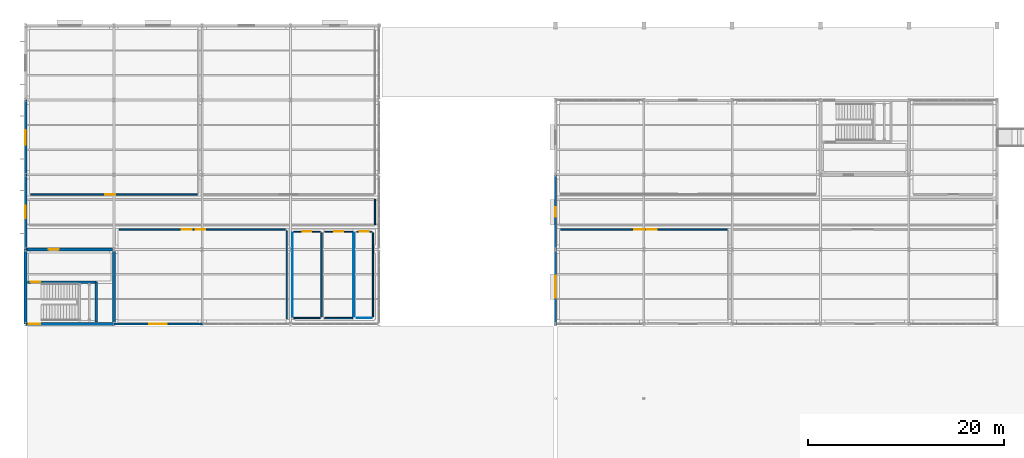
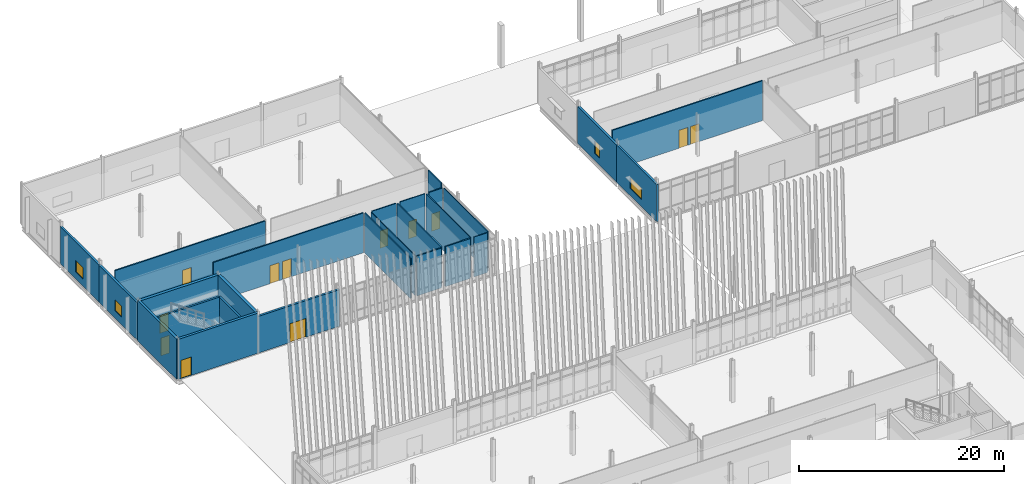
# One storey, part 144 of 161: 26 walls, 12 doors, 4 windows, 16 openings.
"""IFC4 building model written with IfcOpenShell, lengths in metres."""

from ifc_helpers import new_model, si_unit, direction, frame, frame_2d, origin, place, context, subcontext, project, spatial, rectangle, extrude, material, layer, layer_set, type_object, element, fill, save


model = new_model("IFC4")

# Units and contexts
model_context = context("Model", 3, precision=1e-05, world=origin(), true_north=direction((0.0, 1.0)))
body_context = subcontext(model_context, "Body", "Model", "MODEL_VIEW")
ifc_project = project(units=[si_unit("LENGTHUNIT", "METRE"), si_unit("AREAUNIT", "SQUARE_METRE"), si_unit("VOLUMEUNIT", "CUBIC_METRE"), si_unit("PLANEANGLEUNIT", "RADIAN"), si_unit("MASSUNIT", "GRAM", prefix="KILO")], contexts=[model_context])

# Site, building, storey
site_placement = place(None, origin())
site = spatial("IfcSite", under=ifc_project, at=site_placement, CompositionType="ELEMENT")
building_placement = place(site_placement, origin())
building = spatial("IfcBuilding", under=site, at=building_placement, Name="Caisbarro Railhouse Central Library", CompositionType="ELEMENT")
storey_placement = place(building_placement, origin())
storey = spatial("IfcBuildingStorey", under=building, at=storey_placement, Name="L00", CompositionType="ELEMENT", Elevation=0.0)

# Wall, opening, door
ifc_material_1 = material(Name="Concrete C40", Category="concrete")
ifc_layer_1 = layer(ifc_material_1, 0.320068359375, Name="Concrete C40")
ifc_layer_set_1 = layer_set([ifc_layer_1], Name="Concrete C40")
wall_type_1 = type_object("IfcWallType", Name="WAL-CW32", PredefinedType="SHEAR", material=ifc_layer_set_1)
wall_1_placement = place(storey_placement, frame((0.159912109375, 91.199951171875, 0.0), z_axis=(0.0, 0.0, 1.0), x_axis=(1.0, 0.0, 0.0)))
wall_1 = element("IfcWall", 1, at=wall_1_placement, inside=storey, type_object=wall_type_1, Name="CW32 RC core shear wall L00 #107", PredefinedType="SHEAR", context=body_context, shape_type="SweptSolid", body=[
    extrude(rectangle(XDim=8.68017578125, YDim=0.320068359375, at=frame_2d((4.340087890625, 0.0))), origin(), (0.0, 0.0, 1.0), 4.760009765625),
])
opening_1_placement = place(wall_1_placement, frame((2.199951171875, 0.0, 0.0)))
opening_1 = element("IfcOpeningElement", 2, at=opening_1_placement, cuts=wall_1, Name="Opening FD05", PredefinedType="OPENING", context=body_context, shape_type="SweptSolid", body=[
    extrude(rectangle(XDim=1.0, YDim=2.14990234375, at=frame_2d((0.5, 1.074951171875))), frame((0.0, 0.169921875, 0.0), z_axis=(0.0, -1.0, 0.0), x_axis=(1.0, 0.0, 0.0)), (0.0, 0.0, 1.0), 0.340087890625),
])
ifc_material_2 = material(Name="Fire-rated painted galvanised steel", Category="steel")
door_type_1 = type_object("IfcDoorType", Name="DR-FD05", OperationType="NOTDEFINED", PredefinedType="DOOR", material=ifc_material_2)
door_1_placement = place(opening_1_placement, origin())
door_1 = element("IfcDoor", 3, at=door_1_placement, inside=storey, type_object=door_type_1, Name="Core K8 Lobby Door FD05 L00-138", OperationType="SINGLE_SWING_LEFT", OverallHeight=2.14990234375, OverallWidth=1.0, PredefinedType="DOOR", context=body_context, shape_type="SweptSolid", body=[
    extrude(rectangle(XDim=1.0, YDim=2.14990234375, at=frame_2d((0.5, 1.074951171875))), frame((0.0, 0.02490234375, 0.0), z_axis=(0.0, -1.0, 0.0), x_axis=(1.0, 0.0, 0.0)), (0.0, 0.0, 1.0), 0.050048828125),
])
fill(opening_1, door_1)

# Wall
wall_2_placement = place(storey_placement, frame((9.0, 83.760009765625, 0.0), z_axis=(0.0, 0.0, 1.0), x_axis=(0.0, 1.0, 0.0)))
element("IfcWall", 4, at=wall_2_placement, inside=storey, type_object=wall_type_1, Name="CW32 RC core shear wall L00 #108", PredefinedType="SHEAR", context=body_context, shape_type="SweptSolid", body=[
    extrude(rectangle(XDim=7.280029296875, YDim=0.320068359375, at=frame_2d((3.64013671875, 0.0))), origin(), (0.0, 0.0, 1.0), 4.760009765625),
])

# Wall, opening, door
ifc_material_3 = material(Name="Concrete C35 insulated architectural precast", Category="concrete")
ifc_layer_2 = layer(ifc_material_3, 0.239990234375, Name="Concrete C35 insulated architectural precast")
ifc_layer_set_2 = layer_set([ifc_layer_2], Name="Concrete C35 insulated architectural precast")
wall_type_2 = type_object("IfcWallType", Name="WAL-EW24", PredefinedType="STANDARD", material=ifc_layer_set_2)
wall_3_placement = place(storey_placement, frame((9.0, 83.60009765625, 0.0), z_axis=(0.0, 0.0, 1.0), x_axis=(1.0, 0.0, 0.0)))
wall_3 = element("IfcWall", 5, at=wall_3_placement, inside=storey, type_object=wall_type_2, Name="EW24 exterior wall L00 #140", PredefinedType="STANDARD", context=body_context, shape_type="SweptSolid", body=[
    extrude(rectangle(XDim=9.2099609375, YDim=0.239990234375, at=frame_2d((4.60498046875, 0.0))), origin(), (0.0, 0.0, 1.0), 4.37109375),
])
opening_2_placement = place(wall_3_placement, frame((3.60009765625, 0.0, 0.0)))
opening_2 = element("IfcOpeningElement", 6, at=opening_2_placement, cuts=wall_3, Name="Opening ED01", PredefinedType="OPENING", context=body_context, shape_type="SweptSolid", body=[
    extrude(rectangle(XDim=1.800048828125, YDim=2.25, at=frame_2d((0.89990234375, 1.125))), frame((0.0, 0.1298828125, 0.0), z_axis=(0.0, -1.0, 0.0), x_axis=(1.0, 0.0, 0.0)), (0.0, 0.0, 1.0), 0.260009765625),
])
ifc_material_4 = material(Name="Thermally broken anodised aluminium and safety glass", Category="aluminium")
door_type_2 = type_object("IfcDoorType", Name="DR-ED01", OperationType="NOTDEFINED", PredefinedType="DOOR", material=ifc_material_4)
door_2_placement = place(opening_2_placement, frame((1.800048828125, 0.0, 0.0), z_axis=(0.0, 0.0, 1.0), x_axis=(-1.0, 0.0, 0.0)))
door_2 = element("IfcDoor", 7, at=door_2_placement, inside=storey, type_object=door_type_2, Name="Exit Door ED01 L00-26", OperationType="SINGLE_SWING_LEFT", OverallHeight=2.25, OverallWidth=1.800048828125, PredefinedType="DOOR", context=body_context, shape_type="SweptSolid", body=[
    extrude(rectangle(XDim=1.800048828125, YDim=2.25, at=frame_2d((0.89990234375, 1.125))), frame((0.0, 0.02490234375, 0.0), z_axis=(0.0, -1.0, 0.0), x_axis=(1.0, 0.0, 0.0)), (0.0, 0.0, 1.0), 0.050048828125),
])
fill(opening_2, door_2)

# Wall, opening, window
wall_4_placement = place(storey_placement, frame((0.0, 91.199951171875, 0.0), z_axis=(0.0, 0.0, 1.0), x_axis=(0.0, 1.0, 0.0)))
wall_4 = element("IfcWall", 8, at=wall_4_placement, inside=storey, type_object=wall_type_2, Name="EW24 exterior wall L00 #145", PredefinedType="STANDARD", context=body_context, shape_type="SweptSolid", body=[
    extrude(rectangle(XDim=7.60009765625, YDim=0.239990234375, at=frame_2d((3.800048828125, 0.0))), origin(), (0.0, 0.0, 1.0), 4.4208984375),
])
opening_3_placement = place(wall_4_placement, frame((3.14990234375, 0.0, 0.85009765625)))
opening_3 = element("IfcOpeningElement", 9, at=opening_3_placement, cuts=wall_4, Name="Opening W12", PredefinedType="OPENING", context=body_context, shape_type="SweptSolid", body=[
    extrude(rectangle(XDim=1.300048828125, YDim=1.35009765625, at=frame_2d((0.64990234375, 0.675048828125))), frame((0.0, 0.1298828125, 0.0), z_axis=(0.0, -1.0, 0.0), x_axis=(1.0, 0.0, 0.0)), (0.0, 0.0, 1.0), 0.260009765625),
])
ifc_material_5 = material(Name="Double low-e laminated solar-control glass", Category="glass")
window_type_1 = type_object("IfcWindowType", Name="WIN-W12", PartitioningType="SINGLE_PANEL", PredefinedType="WINDOW", material=ifc_material_5)
window_1_placement = place(opening_3_placement, origin())
window_1 = element("IfcWindow", 10, at=window_1_placement, inside=storey, type_object=window_type_1, Name="W12 window L00-055", OverallHeight=1.35009765625, OverallWidth=1.300048828125, PartitioningType="SINGLE_PANEL", PredefinedType="WINDOW", context=body_context, shape_type="SweptSolid", body=[
    extrude(rectangle(XDim=1.300048828125, YDim=1.35009765625, at=frame_2d((0.64990234375, 0.675048828125))), frame((0.0, 0.030029296875, 0.0), z_axis=(0.0, -1.0, 0.0), x_axis=(1.0, 0.0, 0.0)), (0.0, 0.0, 1.0), 0.06005859375),
])
fill(opening_3, window_1)

wall_5_placement = place(storey_placement, frame((0.0, 98.800048828125, 0.0), z_axis=(0.0, 0.0, 1.0), x_axis=(0.0, 1.0, 0.0)))
wall_5 = element("IfcWall", 11, at=wall_5_placement, inside=storey, type_object=wall_type_2, Name="EW24 exterior wall L00 #146", PredefinedType="STANDARD", context=body_context, shape_type="SweptSolid", body=[
    extrude(rectangle(XDim=7.599853515625, YDim=0.239990234375, at=frame_2d((3.7998046875, 0.0))), origin(), (0.0, 0.0, 1.0), 4.4208984375),
])
opening_4_placement = place(wall_5_placement, frame((3.074951171875, 0.0, 0.85009765625)))
opening_4 = element("IfcOpeningElement", 12, at=opening_4_placement, cuts=wall_5, Name="Opening W13", PredefinedType="OPENING", context=body_context, shape_type="SweptSolid", body=[
    extrude(rectangle(XDim=1.449951171875, YDim=1.35009765625, at=frame_2d((0.72509765625, 0.675048828125))), frame((0.0, 0.1298828125, 0.0), z_axis=(0.0, -1.0, 0.0), x_axis=(1.0, 0.0, 0.0)), (0.0, 0.0, 1.0), 0.260009765625),
])
window_type_2 = type_object("IfcWindowType", Name="WIN-W13", PartitioningType="SINGLE_PANEL", PredefinedType="WINDOW", material=ifc_material_5)
window_2_placement = place(opening_4_placement, origin())
window_2 = element("IfcWindow", 13, at=window_2_placement, inside=storey, type_object=window_type_2, Name="W13 window L00-056", OverallHeight=1.35009765625, OverallWidth=1.449951171875, PartitioningType="SINGLE_PANEL", PredefinedType="WINDOW", context=body_context, shape_type="SweptSolid", body=[
    extrude(rectangle(XDim=1.449951171875, YDim=1.35009765625, at=frame_2d((0.72509765625, 0.675048828125))), frame((0.0, 0.030029296875, 0.0), z_axis=(0.0, -1.0, 0.0), x_axis=(1.0, 0.0, 0.0)), (0.0, 0.0, 1.0), 0.06005859375),
])
fill(opening_4, window_2)

wall_6_placement = place(storey_placement, frame((54.0, 83.389892578125, 0.0), z_axis=(0.0, 0.0, 1.0), x_axis=(0.0, 1.0, 0.0)))
wall_6 = element("IfcWall", 14, at=wall_6_placement, inside=storey, type_object=wall_type_2, Name="EW24 exterior wall L00 #235", PredefinedType="STANDARD", context=body_context, shape_type="SweptSolid", body=[
    extrude(rectangle(XDim=7.81005859375, YDim=0.239990234375, at=frame_2d((3.905029296875, 0.0))), origin(), (0.0, 0.0, 1.0), 4.4208984375),
])
opening_5_placement = place(wall_6_placement, frame((2.885009765625, 0.0, 0.85009765625)))
opening_5 = element("IfcOpeningElement", 15, at=opening_5_placement, cuts=wall_6, Name="Opening W17", PredefinedType="OPENING", context=body_context, shape_type="SweptSolid", body=[
    extrude(rectangle(XDim=2.25, YDim=1.35009765625, at=frame_2d((1.125, 0.675048828125))), frame((0.0, 0.1298828125, 0.0), z_axis=(0.0, -1.0, 0.0), x_axis=(1.0, 0.0, 0.0)), (0.0, 0.0, 1.0), 0.260009765625),
])
window_type_3 = type_object("IfcWindowType", Name="WIN-W17", PartitioningType="SINGLE_PANEL", PredefinedType="WINDOW", material=ifc_material_5)
window_3_placement = place(opening_5_placement, origin())
window_3 = element("IfcWindow", 16, at=window_3_placement, inside=storey, type_object=window_type_3, Name="W17 window L00-083", OverallHeight=1.35009765625, OverallWidth=2.25, PartitioningType="SINGLE_PANEL", PredefinedType="WINDOW", context=body_context, shape_type="SweptSolid", body=[
    extrude(rectangle(XDim=2.25, YDim=1.35009765625, at=frame_2d((1.125, 0.675048828125))), frame((0.0, 0.030029296875, 0.0), z_axis=(0.0, -1.0, 0.0), x_axis=(1.0, 0.0, 0.0)), (0.0, 0.0, 1.0), 0.06005859375),
])
fill(opening_5, window_3)

wall_7_placement = place(storey_placement, frame((54.0, 91.199951171875, 0.0), z_axis=(0.0, 0.0, 1.0), x_axis=(0.0, 1.0, 0.0)))
wall_7 = element("IfcWall", 17, at=wall_7_placement, inside=storey, type_object=wall_type_2, Name="EW24 exterior wall L00 #237", PredefinedType="STANDARD", context=body_context, shape_type="SweptSolid", body=[
    extrude(rectangle(XDim=7.60009765625, YDim=0.239990234375, at=frame_2d((3.800048828125, 0.0))), origin(), (0.0, 0.0, 1.0), 4.4208984375),
])
opening_6_placement = place(wall_7_placement, frame((3.300048828125, 0.0, 0.85009765625)))
opening_6 = element("IfcOpeningElement", 18, at=opening_6_placement, cuts=wall_7, Name="Opening W19", PredefinedType="OPENING", context=body_context, shape_type="SweptSolid", body=[
    extrude(rectangle(XDim=1.0, YDim=1.5, at=frame_2d((0.5, 0.75))), frame((0.0, 0.1298828125, 0.0), z_axis=(0.0, -1.0, 0.0), x_axis=(1.0, 0.0, 0.0)), (0.0, 0.0, 1.0), 0.260009765625),
])
window_type_4 = type_object("IfcWindowType", Name="WIN-W19", PartitioningType="SINGLE_PANEL", PredefinedType="WINDOW", material=ifc_material_5)
window_4_placement = place(opening_6_placement, origin())
window_4 = element("IfcWindow", 19, at=window_4_placement, inside=storey, type_object=window_type_4, Name="W19 window L00-085", OverallHeight=1.5, OverallWidth=1.0, PartitioningType="SINGLE_PANEL", PredefinedType="WINDOW", context=body_context, shape_type="SweptSolid", body=[
    extrude(rectangle(XDim=1.0, YDim=1.5, at=frame_2d((0.5, 0.75))), frame((0.0, 0.030029296875, 0.0), z_axis=(0.0, -1.0, 0.0), x_axis=(1.0, 0.0, 0.0)), (0.0, 0.0, 1.0), 0.06005859375),
])
fill(opening_6, window_4)

# Wall, opening, door
ifc_layer_3 = layer(ifc_material_1, 0.280029296875, Name="Concrete C40")
ifc_layer_set_3 = layer_set([ifc_layer_3], Name="Concrete C40")
wall_type_3 = type_object("IfcWallType", Name="WAL-EW28", PredefinedType="SOLIDWALL", material=ifc_layer_set_3)
wall_8_placement = place(storey_placement, frame((0.0, 83.60009765625, 0.0), z_axis=(0.0, 0.0, 1.0), x_axis=(1.0, 0.0, 0.0)))
wall_8 = element("IfcWall", 20, at=wall_8_placement, inside=storey, type_object=wall_type_3, Name="EW28 exterior wall L00 #138", PredefinedType="SOLIDWALL", context=body_context, shape_type="SweptSolid", body=[
    extrude(rectangle(XDim=9.0, YDim=0.280029296875, at=frame_2d((4.5, 0.0))), origin(), (0.0, 0.0, 1.0), 4.800048828125),
])
opening_7_placement = place(wall_8_placement, frame((0.320068359375, 0.0, 0.0)))
opening_7 = element("IfcOpeningElement", 21, at=opening_7_placement, cuts=wall_8, Name="Opening ED05", PredefinedType="OPENING", context=body_context, shape_type="SweptSolid", body=[
    extrude(rectangle(XDim=1.14990234375, YDim=2.199951171875, at=frame_2d((0.574951171875, 1.10009765625))), frame((0.0, 0.14990234375, 0.0), z_axis=(0.0, -1.0, 0.0), x_axis=(1.0, 0.0, 0.0)), (0.0, 0.0, 1.0), 0.300048828125),
])
ifc_material_6 = material(Name="Galvanised painted hollow steel", Category="steel")
door_type_3 = type_object("IfcDoorType", Name="DR-ED05", OperationType="NOTDEFINED", PredefinedType="DOOR", material=ifc_material_6)
door_3_placement = place(opening_7_placement, frame((1.14990234375, 0.0, 0.0), z_axis=(0.0, 0.0, 1.0), x_axis=(-1.0, 0.0, 0.0)))
door_3 = element("IfcDoor", 22, at=door_3_placement, inside=storey, type_object=door_type_3, Name="Exit Door ED05 L00-25", OperationType="SINGLE_SWING_RIGHT", OverallHeight=2.199951171875, OverallWidth=1.14990234375, PredefinedType="DOOR", context=body_context, shape_type="SweptSolid", body=[
    extrude(rectangle(XDim=1.14990234375, YDim=2.199951171875, at=frame_2d((0.574951171875, 1.10009765625))), frame((0.0, 0.02490234375, 0.0), z_axis=(0.0, -1.0, 0.0), x_axis=(1.0, 0.0, 0.0)), (0.0, 0.0, 1.0), 0.050048828125),
])
fill(opening_7, door_3)

# Walls
wall_9_placement = place(storey_placement, frame((0.0, 83.60009765625, 0.0), z_axis=(0.0, 0.0, 1.0), x_axis=(0.0, 1.0, 0.0)))
element("IfcWall", 23, at=wall_9_placement, inside=storey, type_object=wall_type_3, Name="EW28 exterior wall L00 #144", PredefinedType="SOLIDWALL", context=body_context, shape_type="SweptSolid", body=[
    extrude(rectangle(XDim=7.599853515625, YDim=0.280029296875, at=frame_2d((3.7998046875, 0.0))), origin(), (0.0, 0.0, 1.0), 4.800048828125),
])
ifc_material_7 = material(Name="Acoustic gypsum board on galvanised steel studs", Category="steel")
ifc_layer_4 = layer(ifc_material_7, 0.090087890625, Name="Acoustic gypsum board on galvanised steel studs")
ifc_layer_set_4 = layer_set([ifc_layer_4], Name="Acoustic gypsum board on galvanised steel studs")
wall_type_4 = type_object("IfcWallType", Name="WAL-IW09", PredefinedType="PARTITIONING", material=ifc_layer_set_4)
for number, where, z_axis, x_axis, name in (
    (24, (27.199951171875, 84.320068359375, 0.0), (0.0, 0.0, 1.0), (0.0, 1.0, 0.0), "IW09 partition wall L00 #301"),
    (25, (33.43603515625, 84.320068359375, 0.0), (0.0, 0.0, 1.0), (0.0, 1.0, 0.0), "IW09 partition wall L00 #305"),
):
    element("IfcWall", number, at=place(storey_placement, frame(where, z_axis=z_axis, x_axis=x_axis)), inside=storey, type_object=wall_type_4, Name=name, PredefinedType="PARTITIONING", context=body_context, shape_type="SweptSolid", body=[
        extrude(rectangle(XDim=8.559814453125, YDim=0.090087890625, at=frame_2d((4.27978515625, 0.0))), origin(), (0.0, 0.0, 1.0), 4.760009765625),
    ])
wall_10_placement = place(storey_placement, frame((33.756103515625, 84.199951171875, 0.0), z_axis=(0.0, 0.0, 1.0), x_axis=(1.0, 0.0, 0.0)))
element("IfcWall", 26, at=wall_10_placement, inside=storey, type_object=wall_type_4, Name="IW09 partition wall L00 #309", PredefinedType="PARTITIONING", context=body_context, shape_type="SweptSolid", body=[
    extrude(rectangle(XDim=1.52392578125, YDim=0.090087890625, at=frame_2d((0.761962890625, 0.0))), origin(), (0.0, 0.0, 1.0), 4.760009765625),
])

# Wall, opening, door
ifc_layer_5 = layer(ifc_material_7, 0.110107421875, Name="Acoustic gypsum board on galvanised steel studs")
ifc_layer_set_5 = layer_set([ifc_layer_5], Name="Acoustic gypsum board on galvanised steel studs")
wall_type_5 = type_object("IfcWallType", Name="WAL-IW11", PredefinedType="PARTITIONING", material=ifc_layer_set_5)
wall_11_placement = place(storey_placement, frame((27.320068359375, 93.0, 0.0), z_axis=(0.0, 0.0, 1.0), x_axis=(1.0, 0.0, 0.0)))
wall_11 = element("IfcWall", 27, at=wall_11_placement, inside=storey, type_object=wall_type_5, Name="IW11 partition wall L00 #300", PredefinedType="PARTITIONING", context=body_context, shape_type="SweptSolid", body=[
    extrude(rectangle(XDim=2.72802734375, YDim=0.110107421875, at=frame_2d((1.364013671875, 0.0))), origin(), (0.0, 0.0, 1.0), 4.760009765625),
])
opening_8_placement = place(wall_11_placement, frame((0.93408203125, 0.0, 0.0)))
opening_8 = element("IfcOpeningElement", 28, at=opening_8_placement, cuts=wall_11, Name="Opening ID01", PredefinedType="OPENING", context=body_context, shape_type="SweptSolid", body=[
    extrude(rectangle(XDim=0.860107421875, YDim=2.06005859375, at=frame_2d((0.43017578125, 1.030029296875))), frame((0.0, 0.06494140625, 0.0), z_axis=(0.0, -1.0, 0.0), x_axis=(1.0, 0.0, 0.0)), (0.0, 0.0, 1.0), 0.130126953125),
])
ifc_material_8 = material(Name="Solid-core tropical hardwood veneer", Category="wood")
door_type_4 = type_object("IfcDoorType", Name="DR-ID01", OperationType="NOTDEFINED", PredefinedType="DOOR", material=ifc_material_8)
door_4_placement = place(opening_8_placement, origin())
door_4 = element("IfcDoor", 29, at=door_4_placement, inside=storey, type_object=door_type_4, Name="Male WC L00-V2 Door ID01 L00-195", OperationType="SINGLE_SWING_LEFT", OverallHeight=2.06005859375, OverallWidth=0.860107421875, PredefinedType="DOOR", context=body_context, shape_type="SweptSolid", body=[
    extrude(rectangle(XDim=0.860107421875, YDim=2.06005859375, at=frame_2d((0.43017578125, 1.030029296875))), frame((0.0, 0.02490234375, 0.0), z_axis=(0.0, -1.0, 0.0), x_axis=(1.0, 0.0, 0.0)), (0.0, 0.0, 1.0), 0.050048828125),
])
fill(opening_8, door_4)

wall_12_placement = place(storey_placement, frame((30.488037109375, 93.0, 0.0), z_axis=(0.0, 0.0, 1.0), x_axis=(1.0, 0.0, 0.0)))
wall_12 = element("IfcWall", 30, at=wall_12_placement, inside=storey, type_object=wall_type_5, Name="IW11 partition wall L00 #304", PredefinedType="PARTITIONING", context=body_context, shape_type="SweptSolid", body=[
    extrude(rectangle(XDim=2.827880859375, YDim=0.110107421875, at=frame_2d((1.4140625, 0.0))), origin(), (0.0, 0.0, 1.0), 4.760009765625),
])
opening_9_placement = place(wall_12_placement, frame((0.964111328125, 0.0, 0.0)))
opening_9 = element("IfcOpeningElement", 31, at=opening_9_placement, cuts=wall_12, Name="Opening ID02", PredefinedType="OPENING", context=body_context, shape_type="SweptSolid", body=[
    extrude(rectangle(XDim=0.89990234375, YDim=2.06005859375, at=frame_2d((0.449951171875, 1.030029296875))), frame((0.0, 0.06494140625, 0.0), z_axis=(0.0, -1.0, 0.0), x_axis=(1.0, 0.0, 0.0)), (0.0, 0.0, 1.0), 0.130126953125),
])
door_type_5 = type_object("IfcDoorType", Name="DR-ID02", OperationType="NOTDEFINED", PredefinedType="DOOR", material=ifc_material_8)
door_5_placement = place(opening_9_placement, origin())
door_5 = element("IfcDoor", 32, at=door_5_placement, inside=storey, type_object=door_type_5, Name="Female WC L00-V2 Door ID02 L00-196", OperationType="SINGLE_SWING_RIGHT", OverallHeight=2.06005859375, OverallWidth=0.89990234375, PredefinedType="DOOR", context=body_context, shape_type="SweptSolid", body=[
    extrude(rectangle(XDim=0.89990234375, YDim=2.06005859375, at=frame_2d((0.449951171875, 1.030029296875))), frame((0.0, 0.02490234375, 0.0), z_axis=(0.0, -1.0, 0.0), x_axis=(1.0, 0.0, 0.0)), (0.0, 0.0, 1.0), 0.050048828125),
])
fill(opening_9, door_5)

# Walls
wall_13_placement = place(storey_placement, frame((35.39990234375, 84.320068359375, 0.0), z_axis=(0.0, 0.0, 1.0), x_axis=(0.0, 1.0, 0.0)))
element("IfcWall", 33, at=wall_13_placement, inside=storey, type_object=wall_type_5, Name="IW11 partition wall L00 #308", PredefinedType="PARTITIONING", context=body_context, shape_type="SweptSolid", body=[
    extrude(rectangle(XDim=8.559814453125, YDim=0.110107421875, at=frame_2d((4.27978515625, 0.0))), origin(), (0.0, 0.0, 1.0), 4.760009765625),
])
ifc_layer_6 = layer(ifc_material_7, 0.1298828125, Name="Acoustic gypsum board on galvanised steel studs")
ifc_layer_set_6 = layer_set([ifc_layer_6], Name="Acoustic gypsum board on galvanised steel studs")
wall_type_6 = type_object("IfcWallType", Name="WAL-IW13", PredefinedType="PARTITIONING", material=ifc_layer_set_6)
wall_14_placement = place(storey_placement, frame((26.60009765625, 84.1201171875, 0.0), z_axis=(0.0, 0.0, 1.0), x_axis=(0.0, 1.0, 0.0)))
element("IfcWall", 34, at=wall_14_placement, inside=storey, type_object=wall_type_6, Name="IW13 partition wall L00 #299", PredefinedType="PARTITIONING", context=body_context, shape_type="SweptSolid", body=[
    extrude(rectangle(XDim=8.9599609375, YDim=0.1298828125, at=frame_2d((4.47998046875, 0.0))), origin(), (0.0, 0.0, 1.0), 4.760009765625),
])
wall_15_placement = place(storey_placement, frame((27.320068359375, 84.199951171875, 0.0), z_axis=(0.0, 0.0, 1.0), x_axis=(1.0, 0.0, 0.0)))
element("IfcWall", 35, at=wall_15_placement, inside=storey, type_object=wall_type_6, Name="IW13 partition wall L00 #303", PredefinedType="PARTITIONING", context=body_context, shape_type="SweptSolid", body=[
    extrude(rectangle(XDim=2.72802734375, YDim=0.1298828125, at=frame_2d((1.364013671875, 0.0))), origin(), (0.0, 0.0, 1.0), 4.760009765625),
])

# Wall, opening, door
wall_16_placement = place(storey_placement, frame((33.756103515625, 93.0, 0.0), z_axis=(0.0, 0.0, 1.0), x_axis=(1.0, 0.0, 0.0)))
wall_16 = element("IfcWall", 36, at=wall_16_placement, inside=storey, type_object=wall_type_6, Name="IW13 partition wall L00 #307", PredefinedType="PARTITIONING", context=body_context, shape_type="SweptSolid", body=[
    extrude(rectangle(XDim=1.52392578125, YDim=0.1298828125, at=frame_2d((0.761962890625, 0.0))), origin(), (0.0, 0.0, 1.0), 4.760009765625),
])
opening_10_placement = place(wall_16_placement, frame((0.2919921875, 0.0, 0.0)))
opening_10 = element("IfcOpeningElement", 37, at=opening_10_placement, cuts=wall_16, Name="Opening ID03", PredefinedType="OPENING", context=body_context, shape_type="SweptSolid", body=[
    extrude(rectangle(XDim=0.93994140625, YDim=2.06005859375, at=frame_2d((0.469970703125, 1.030029296875))), frame((0.0, 0.074951171875, 0.0), z_axis=(0.0, -1.0, 0.0), x_axis=(1.0, 0.0, 0.0)), (0.0, 0.0, 1.0), 0.14990234375),
])
door_type_6 = type_object("IfcDoorType", Name="DR-ID03", OperationType="NOTDEFINED", PredefinedType="DOOR", material=ifc_material_8)
door_6_placement = place(opening_10_placement, origin())
door_6 = element("IfcDoor", 38, at=door_6_placement, inside=storey, type_object=door_type_6, Name="Accessible WC L00-V2 Door ID03 L00-197", OperationType="SINGLE_SWING_LEFT", OverallHeight=2.06005859375, OverallWidth=0.93994140625, PredefinedType="DOOR", context=body_context, shape_type="SweptSolid", body=[
    extrude(rectangle(XDim=0.93994140625, YDim=2.06005859375, at=frame_2d((0.469970703125, 1.030029296875))), frame((0.0, 0.02490234375, 0.0), z_axis=(0.0, -1.0, 0.0), x_axis=(1.0, 0.0, 0.0)), (0.0, 0.0, 1.0), 0.050048828125),
])
fill(opening_10, door_6)

# Wall
wall_17_placement = place(storey_placement, frame((35.60009765625, 93.719970703125, 0.0), z_axis=(0.0, 0.0, 1.0), x_axis=(0.0, 1.0, 0.0)))
element("IfcWall", 39, at=wall_17_placement, inside=storey, type_object=wall_type_6, Name="IW13 partition wall L00 #359", PredefinedType="PARTITIONING", context=body_context, shape_type="SweptSolid", body=[
    extrude(rectangle(XDim=2.56005859375, YDim=0.1298828125, at=frame_2d((1.280029296875, 0.0))), origin(), (0.0, 0.0, 1.0), 4.760009765625),
])

# Wall, openings, doors
ifc_layer_7 = layer(ifc_material_7, 0.14990234375, Name="Acoustic gypsum board on galvanised steel studs")
ifc_layer_set_7 = layer_set([ifc_layer_7], Name="Acoustic gypsum board on galvanised steel studs")
wall_type_7 = type_object("IfcWallType", Name="WAL-IW15", PredefinedType="PARTITIONING", material=ifc_layer_set_7)
wall_18_placement = place(storey_placement, frame((9.52001953125, 93.199951171875, 0.0), z_axis=(0.0, 0.0, 1.0), x_axis=(1.0, 0.0, 0.0)))
wall_18 = element("IfcWall", 40, at=wall_18_placement, inside=storey, type_object=wall_type_7, Name="IW15 partition wall L00 #298", PredefinedType="PARTITIONING", context=body_context, shape_type="SweptSolid", body=[
    extrude(rectangle(XDim=16.9599609375, YDim=0.14990234375, at=frame_2d((8.47998046875, 0.0))), origin(), (0.0, 0.0, 1.0), 4.760009765625),
])
opening_11_placement = place(wall_18_placement, frame((7.794921875, 0.0, 0.0)))
opening_11 = element("IfcOpeningElement", 41, at=opening_11_placement, cuts=wall_18, Name="Opening FD05", PredefinedType="OPENING", context=body_context, shape_type="SweptSolid", body=[
    extrude(rectangle(XDim=1.0, YDim=2.14990234375, at=frame_2d((0.5, 1.074951171875))), frame((0.0, 0.0849609375, 0.0), z_axis=(0.0, -1.0, 0.0), x_axis=(1.0, 0.0, 0.0)), (0.0, 0.0, 1.0), 0.169921875),
])
opening_12_placement = place(wall_18_placement, frame((6.409912109375, 0.0, 0.0)))
opening_12 = element("IfcOpeningElement", 42, at=opening_12_placement, cuts=wall_18, Name="Opening FD05", PredefinedType="OPENING", context=body_context, shape_type="SweptSolid", body=[
    extrude(rectangle(XDim=1.0, YDim=2.14990234375, at=frame_2d((0.5, 1.074951171875))), frame((0.0, 0.0849609375, 0.0), z_axis=(0.0, -1.0, 0.0), x_axis=(1.0, 0.0, 0.0)), (0.0, 0.0, 1.0), 0.169921875),
])
door_7_placement = place(opening_11_placement, origin())
door_7 = element("IfcDoor", 43, at=door_7_placement, inside=storey, type_object=door_type_1, Name="Early Childhood Picture-Book Room Door FD05 L00-194", OperationType="SINGLE_SWING_RIGHT", OverallHeight=2.14990234375, OverallWidth=1.0, PredefinedType="DOOR", context=body_context, shape_type="SweptSolid", body=[
    extrude(rectangle(XDim=1.0, YDim=2.14990234375, at=frame_2d((0.5, 1.074951171875))), frame((0.0, 0.02490234375, 0.0), z_axis=(0.0, -1.0, 0.0), x_axis=(1.0, 0.0, 0.0)), (0.0, 0.0, 1.0), 0.050048828125),
])
fill(opening_11, door_7)
door_8_placement = place(opening_12_placement, origin())
door_8 = element("IfcDoor", 44, at=door_8_placement, inside=storey, type_object=door_type_1, Name="Children Pavilion Corridor Door FD05 L00-221", OperationType="SINGLE_SWING_LEFT", OverallHeight=2.14990234375, OverallWidth=1.0, PredefinedType="DOOR", context=body_context, shape_type="SweptSolid", body=[
    extrude(rectangle(XDim=1.0, YDim=2.14990234375, at=frame_2d((0.5, 1.074951171875))), frame((0.0, 0.02490234375, 0.0), z_axis=(0.0, -1.0, 0.0), x_axis=(1.0, 0.0, 0.0)), (0.0, 0.0, 1.0), 0.050048828125),
])
fill(opening_12, door_8)

# Walls
wall_19_placement = place(storey_placement, frame((30.16796875, 84.320068359375, 0.0), z_axis=(0.0, 0.0, 1.0), x_axis=(0.0, 1.0, 0.0)))
element("IfcWall", 45, at=wall_19_placement, inside=storey, type_object=wall_type_7, Name="IW15 partition wall L00 #302", PredefinedType="PARTITIONING", context=body_context, shape_type="SweptSolid", body=[
    extrude(rectangle(XDim=8.559814453125, YDim=0.14990234375, at=frame_2d((4.27978515625, 0.0))), origin(), (0.0, 0.0, 1.0), 4.760009765625),
])
wall_20_placement = place(storey_placement, frame((30.488037109375, 84.199951171875, 0.0), z_axis=(0.0, 0.0, 1.0), x_axis=(1.0, 0.0, 0.0)))
element("IfcWall", 46, at=wall_20_placement, inside=storey, type_object=wall_type_7, Name="IW15 partition wall L00 #306", PredefinedType="PARTITIONING", context=body_context, shape_type="SweptSolid", body=[
    extrude(rectangle(XDim=2.827880859375, YDim=0.14990234375, at=frame_2d((1.4140625, 0.0))), origin(), (0.0, 0.0, 1.0), 4.760009765625),
])

# Wall, opening, door
wall_21_placement = place(storey_placement, frame((0.52001953125, 96.800048828125, 0.0), z_axis=(0.0, 0.0, 1.0), x_axis=(1.0, 0.0, 0.0)))
wall_21 = element("IfcWall", 47, at=wall_21_placement, inside=storey, type_object=wall_type_7, Name="IW15 partition wall L00 #310", PredefinedType="PARTITIONING", context=body_context, shape_type="SweptSolid", body=[
    extrude(rectangle(XDim=16.9599609375, YDim=0.14990234375, at=frame_2d((8.47998046875, 0.0))), origin(), (0.0, 0.0, 1.0), 4.760009765625),
])
opening_13_placement = place(wall_21_placement, frame((7.614990234375, 0.0, 0.0)))
opening_13 = element("IfcOpeningElement", 48, at=opening_13_placement, cuts=wall_21, Name="Opening FD05", PredefinedType="OPENING", context=body_context, shape_type="SweptSolid", body=[
    extrude(rectangle(XDim=1.0, YDim=2.14990234375, at=frame_2d((0.5, 1.074951171875))), frame((0.0, 0.0849609375, 0.0), z_axis=(0.0, -1.0, 0.0), x_axis=(1.0, 0.0, 0.0)), (0.0, 0.0, 1.0), 0.169921875),
])
door_9_placement = place(opening_13_placement, origin())
door_9 = element("IfcDoor", 49, at=door_9_placement, inside=storey, type_object=door_type_1, Name="Children Reading Hall Door FD05 L00-198", OperationType="SINGLE_SWING_RIGHT", OverallHeight=2.14990234375, OverallWidth=1.0, PredefinedType="DOOR", context=body_context, shape_type="SweptSolid", body=[
    extrude(rectangle(XDim=1.0, YDim=2.14990234375, at=frame_2d((0.5, 1.074951171875))), frame((0.0, 0.02490234375, 0.0), z_axis=(0.0, -1.0, 0.0), x_axis=(1.0, 0.0, 0.0)), (0.0, 0.0, 1.0), 0.050048828125),
])
fill(opening_13, door_9)

# Wall, openings, doors
wall_22_placement = place(storey_placement, frame((54.52001953125, 93.199951171875, 0.0), z_axis=(0.0, 0.0, 1.0), x_axis=(1.0, 0.0, 0.0)))
wall_22 = element("IfcWall", 50, at=wall_22_placement, inside=storey, type_object=wall_type_7, Name="IW15 partition wall L00 #314", PredefinedType="PARTITIONING", context=body_context, shape_type="SweptSolid", body=[
    extrude(rectangle(XDim=16.9599609375, YDim=0.14990234375, at=frame_2d((8.47998046875, 0.0))), origin(), (0.0, 0.0, 1.0), 4.760009765625),
])
opening_14_placement = place(wall_22_placement, frame((7.514892578125, 0.0, 0.0)))
opening_14 = element("IfcOpeningElement", 51, at=opening_14_placement, cuts=wall_22, Name="Opening FD05", PredefinedType="OPENING", context=body_context, shape_type="SweptSolid", body=[
    extrude(rectangle(XDim=1.0, YDim=2.14990234375, at=frame_2d((0.5, 1.074951171875))), frame((0.0, 0.0849609375, 0.0), z_axis=(0.0, -1.0, 0.0), x_axis=(1.0, 0.0, 0.0)), (0.0, 0.0, 1.0), 0.169921875),
])
opening_15_placement = place(wall_22_placement, frame((8.7900390625, 0.0, 0.0)))
opening_15 = element("IfcOpeningElement", 52, at=opening_15_placement, cuts=wall_22, Name="Opening FD05", PredefinedType="OPENING", context=body_context, shape_type="SweptSolid", body=[
    extrude(rectangle(XDim=1.0, YDim=2.14990234375, at=frame_2d((0.5, 1.074951171875))), frame((0.0, 0.0849609375, 0.0), z_axis=(0.0, -1.0, 0.0), x_axis=(1.0, 0.0, 0.0)), (0.0, 0.0, 1.0), 0.169921875),
])
door_10_placement = place(opening_14_placement, origin())
door_10 = element("IfcDoor", 53, at=door_10_placement, inside=storey, type_object=door_type_1, Name="Street Cafe and Readers Bistro Door FD05 L00-200", OperationType="SINGLE_SWING_RIGHT", OverallHeight=2.14990234375, OverallWidth=1.0, PredefinedType="DOOR", context=body_context, shape_type="SweptSolid", body=[
    extrude(rectangle(XDim=1.0, YDim=2.14990234375, at=frame_2d((0.5, 1.074951171875))), frame((0.0, 0.02490234375, 0.0), z_axis=(0.0, -1.0, 0.0), x_axis=(1.0, 0.0, 0.0)), (0.0, 0.0, 1.0), 0.050048828125),
])
fill(opening_14, door_10)
door_11_placement = place(opening_15_placement, origin())
door_11 = element("IfcDoor", 54, at=door_11_placement, inside=storey, type_object=door_type_1, Name="North Pavilion Corridor Door FD05 L00-222", OperationType="SINGLE_SWING_RIGHT", OverallHeight=2.14990234375, OverallWidth=1.0, PredefinedType="DOOR", context=body_context, shape_type="SweptSolid", body=[
    extrude(rectangle(XDim=1.0, YDim=2.14990234375, at=frame_2d((0.5, 1.074951171875))), frame((0.0, 0.02490234375, 0.0), z_axis=(0.0, -1.0, 0.0), x_axis=(1.0, 0.0, 0.0)), (0.0, 0.0, 1.0), 0.050048828125),
])
fill(opening_15, door_11)

# Wall, opening, door
ifc_layer_8 = layer(ifc_material_1, 0.2099609375, Name="Concrete C40")
ifc_layer_set_8 = layer_set([ifc_layer_8], Name="Concrete C40")
wall_type_8 = type_object("IfcWallType", Name="WAL-SW21", PredefinedType="SOLIDWALL", material=ifc_layer_set_8)
wall_23_placement = place(storey_placement, frame((0.199951171875, 87.85009765625, 0.0), z_axis=(0.0, 0.0, 1.0), x_axis=(1.0, 0.0, 0.0)))
wall_23 = element("IfcWall", 55, at=wall_23_placement, inside=storey, type_object=wall_type_8, Name="SW21 core shaft wall L00 #161", PredefinedType="SOLIDWALL", context=body_context, shape_type="SweptSolid", body=[
    extrude(rectangle(XDim=7.0, YDim=0.2099609375, at=frame_2d((3.5, 0.0))), origin(), (0.0, 0.0, 1.0), 4.760009765625),
])
opening_16_placement = place(wall_23_placement, frame((0.35009765625, 0.0, 0.0)))
opening_16 = element("IfcOpeningElement", 56, at=opening_16_placement, cuts=wall_23, Name="Opening FD01", PredefinedType="OPENING", context=body_context, shape_type="SweptSolid", body=[
    extrude(rectangle(XDim=0.949951171875, YDim=2.1201171875, at=frame_2d((0.47509765625, 1.06005859375))), frame((0.0, 0.114990234375, 0.0), z_axis=(0.0, -1.0, 0.0), x_axis=(1.0, 0.0, 0.0)), (0.0, 0.0, 1.0), 0.22998046875),
])
door_type_7 = type_object("IfcDoorType", Name="DR-FD01", OperationType="NOTDEFINED", PredefinedType="DOOR", material=ifc_material_2)
door_12_placement = place(opening_16_placement, origin())
door_12 = element("IfcDoor", 57, at=door_12_placement, inside=storey, type_object=door_type_7, Name="Stair ST-08 Fire Door FD01 L00-137", OperationType="SINGLE_SWING_RIGHT", OverallHeight=2.1201171875, OverallWidth=0.949951171875, PredefinedType="DOOR", context=body_context, shape_type="SweptSolid", body=[
    extrude(rectangle(XDim=0.949951171875, YDim=2.1201171875, at=frame_2d((0.47509765625, 1.06005859375))), frame((0.0, 0.02490234375, 0.0), z_axis=(0.0, -1.0, 0.0), x_axis=(1.0, 0.0, 0.0)), (0.0, 0.0, 1.0), 0.050048828125),
])
fill(opening_16, door_12)

# Wall
wall_24_placement = place(storey_placement, frame((7.199951171875, 83.800048828125, 0.0), z_axis=(0.0, 0.0, 1.0), x_axis=(0.0, 1.0, 0.0)))
element("IfcWall", 58, at=wall_24_placement, inside=storey, type_object=wall_type_8, Name="SW21 core shaft wall L00 #162", PredefinedType="SOLIDWALL", context=body_context, shape_type="SweptSolid", body=[
    extrude(rectangle(XDim=4.050048828125, YDim=0.2099609375, at=frame_2d((2.02490234375, 0.0))), origin(), (0.0, 0.0, 1.0), 4.760009765625),
])

save(model, "model.ifc")
